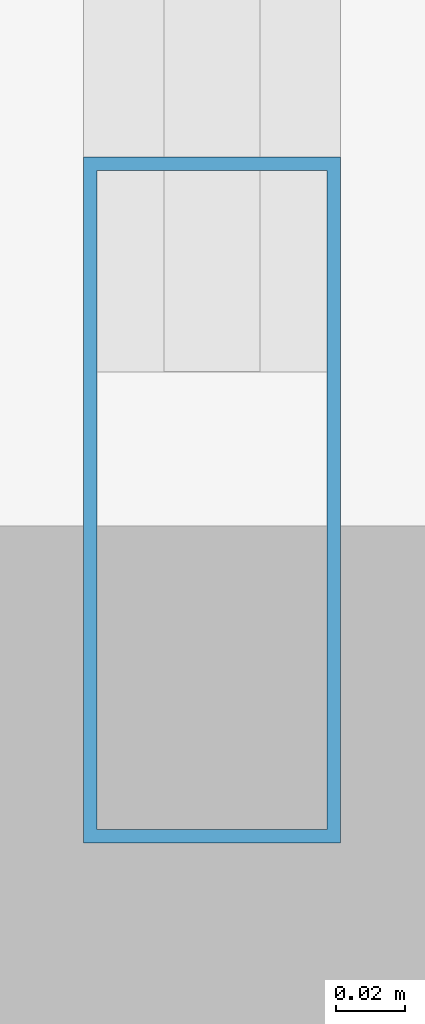
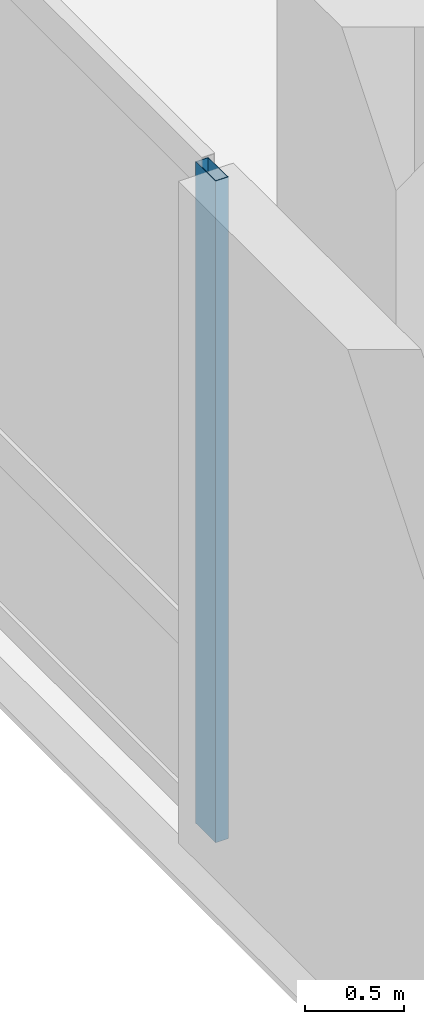
# One storey, part 2 of 36: 1 member, 1 element without a shape of its own.
"""IFC4 building model written with IfcOpenShell, lengths in metres."""

from ifc_helpers import new_model, si_unit, direction, frame, origin, origin_2d, place, context, subcontext, project, spatial, hollow_rectangle, extrude, material, layer, layer_set, material_profile, profile_set, type_object, element, aggregate, save


model = new_model("IFC4")

# Units and contexts
model_context = context("Model", 3, precision=1e-05, world=origin(), true_north=direction((0.0, 1.0)))
body_context = subcontext(model_context, "Body", "Model", "MODEL_VIEW")
ifc_project = project(units=[si_unit("LENGTHUNIT", "METRE"), si_unit("AREAUNIT", "SQUARE_METRE"), si_unit("VOLUMEUNIT", "CUBIC_METRE"), si_unit("PLANEANGLEUNIT", "RADIAN"), si_unit("MASSUNIT", "GRAM", prefix="KILO")], contexts=[model_context])

# Site, building, storey
site_placement = place(None, origin())
site = spatial("IfcSite", under=ifc_project, at=site_placement, CompositionType="ELEMENT")
building_placement = place(site_placement, origin())
building = spatial("IfcBuilding", under=site, at=building_placement, Name="Varnelok Gate Tower", CompositionType="ELEMENT")
storey_placement = place(building_placement, frame((0.0, 0.0, 10.800048828125)))
storey = spatial("IfcBuildingStorey", under=building, at=storey_placement, Name="L02", CompositionType="ELEMENT", Elevation=10.800048828125)

# Curtain wall, member
ifc_material = material(Name="Anodized Aluminum Alloy 6063-T6", Category="aluminium")
ifc_layer = layer(ifc_material, 0.179931640625)
ifc_layer_set = layer_set([ifc_layer], Name="Anodized Aluminum Alloy 6063-T6")
curtain_wall_type = type_object("IfcCurtainWallType", Name="CW1-ARCH-PORTAL", PredefinedType="USERDEFINED", material=ifc_layer_set)
curtain_wall_placement = place(storey_placement, origin())
curtain_wall = element("IfcCurtainWall", 1, at=curtain_wall_placement, inside=storey, type_object=curtain_wall_type, Name="L02 Podium Portal Curtain Wall W", ObjectType="UNITISED CURTAIN WALL", PredefinedType="USERDEFINED")
ifc_material_profile = material_profile(ifc_material, hollow_rectangle(XDim=0.074951171875, YDim=0.199951171875, WallThickness=0.00390625, at=origin_2d()), Name="ALU200X75X4")
ifc_profile_set = profile_set([ifc_material_profile], Name="Anodized Aluminum Alloy 6063-T6")
member_type = type_object("IfcMemberType", Name="CW-MULL-200", PredefinedType="MULLION", material=ifc_profile_set)
member_placement = place(storey_placement, frame((0.159912109375, 15.237548828125, 0.0), z_axis=(0.0, 0.0, 1.0), x_axis=(-1.0, 0.0, 0.0)))
member = element("IfcMember", 2, at=member_placement, type_object=member_type, Name="CW1 mullion 1", PredefinedType="MULLION", context=body_context, shape_type="SweptSolid", body=[
    extrude(hollow_rectangle(XDim=0.074951171875, YDim=0.199951171875, WallThickness=0.00390625, at=origin_2d()), origin(), (0.0, 0.0, 1.0), 4.070068359375),
])
aggregate(curtain_wall, [member])

save(model, "model.ifc")
